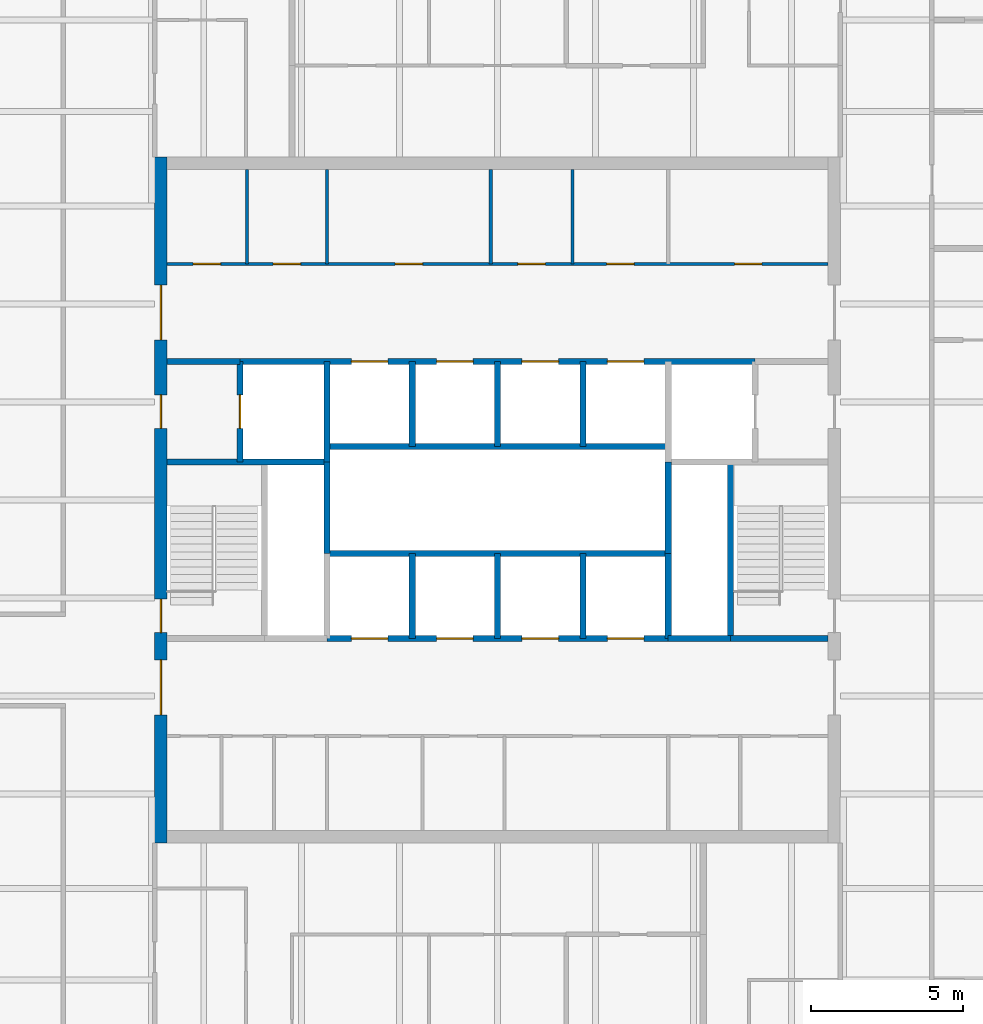
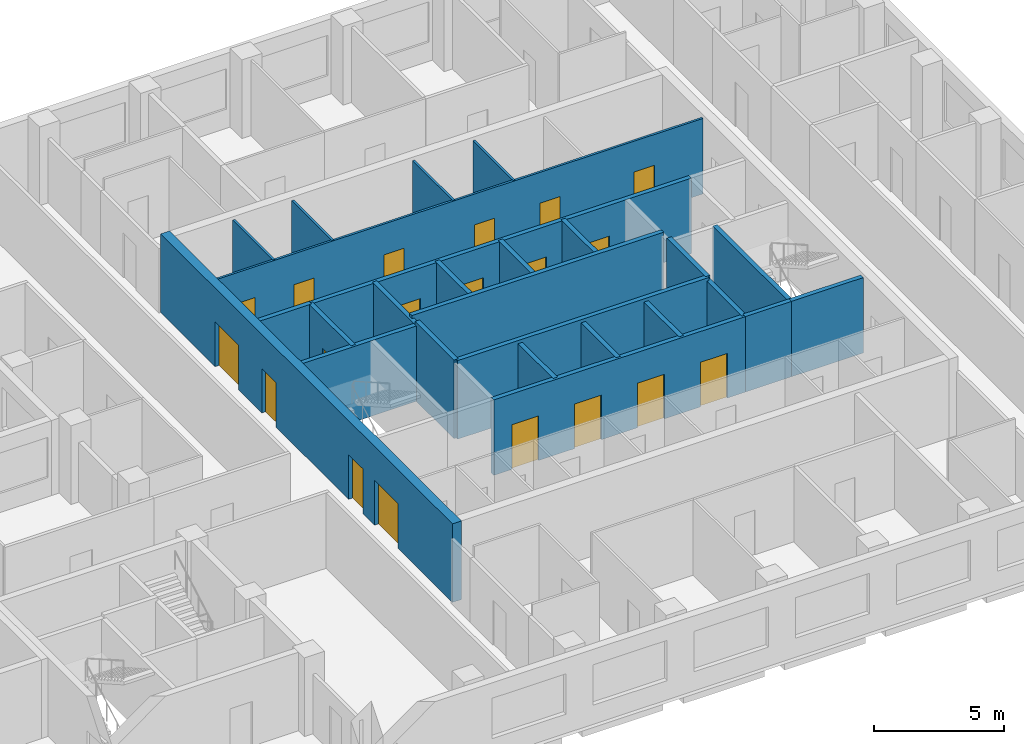
# One storey, part 6 of 10: 26 walls, 19 doors, 19 openings.
"""IFC4 building model written with IfcOpenShell, lengths in metres."""

from ifc_helpers import new_model, si_unit, direction, frame, frame_2d, origin, place, context, subcontext, project, spatial, rectangle, extrude, material, layer, layer_set, type_object, element, fill, save


model = new_model("IFC4")

# Units and contexts
model_context = context("Model", 3, precision=1e-05, world=origin(), true_north=direction((0.0, 1.0)))
body_context = subcontext(model_context, "Body", "Model", "MODEL_VIEW")
ifc_project = project(units=[si_unit("LENGTHUNIT", "METRE"), si_unit("AREAUNIT", "SQUARE_METRE"), si_unit("VOLUMEUNIT", "CUBIC_METRE"), si_unit("PLANEANGLEUNIT", "RADIAN"), si_unit("MASSUNIT", "GRAM", prefix="KILO")], contexts=[model_context])

# Site, building, storey
site_placement = place(None, origin())
site = spatial("IfcSite", under=ifc_project, at=site_placement, CompositionType="ELEMENT")
building_placement = place(site_placement, origin())
building = spatial("IfcBuilding", under=site, at=building_placement, Name="Quoin Convention Tower", CompositionType="ELEMENT")
storey_placement = place(building_placement, frame((0.0, 0.0, 188.39990234375)))
storey = spatial("IfcBuildingStorey", under=building, at=storey_placement, Name="L49", CompositionType="ELEMENT", Elevation=188.39990234375)

# Wall, openings, doors
ifc_material_1 = material(Name="Plasterboard")
ifc_layer_1 = layer(ifc_material_1, 0.012451171875, Name="Finish")
ifc_material_2 = material(Name="Steel stud framing", Category="steel")
ifc_layer_2 = layer(ifc_material_2, 0.074951171875, Name="Structure")
ifc_layer_3 = layer(ifc_material_1, 0.012451171875, Name="Finish")
ifc_layer_set_1 = layer_set([ifc_layer_1, ifc_layer_2, ifc_layer_3], Name="Steel stud framing")
wall_type_1 = type_object("IfcWallType", Name="Core partition wall", PredefinedType="PARTITIONING", material=ifc_layer_set_1)
wall_1_placement = place(storey_placement, frame((45.39990234375, 68.5, 0.0), z_axis=(0.0, 0.0, 1.0), x_axis=(1.0, 0.0, 0.0)))
wall_1 = element("IfcWall", 1, at=wall_1_placement, inside=storey, type_object=wall_type_1, Name="cr-C1-L49-h19000_400", PredefinedType="PARTITIONING", context=body_context, shape_type="SweptSolid", body=[
    extrude(rectangle(XDim=21.7001953125, YDim=0.10009765625, at=frame_2d((10.85009765625, 0.0))), origin(), (0.0, 0.0, 1.0), 3.550048828125),
])
opening_1_placement = place(wall_1_placement, frame((18.625, 0.0, 0.0)))
opening_1 = element("IfcOpeningElement", 2, at=opening_1_placement, cuts=wall_1, Name="Opening DCV5-15", PredefinedType="OPENING", context=body_context, shape_type="SweptSolid", body=[
    extrude(rectangle(XDim=0.89990234375, YDim=2.10009765625, at=frame_2d((0.449951171875, 1.050048828125))), frame((0.0, 0.06005859375, 0.0), z_axis=(0.0, -1.0, 0.0), x_axis=(1.0, 0.0, 0.0)), (0.0, 0.0, 1.0), 0.1201171875),
])
opening_2_placement = place(wall_1_placement, frame((0.862548828125, 0.0, 0.0)))
opening_2 = element("IfcOpeningElement", 3, at=opening_2_placement, cuts=wall_1, Name="Opening DCV5-08", PredefinedType="OPENING", context=body_context, shape_type="SweptSolid", body=[
    extrude(rectangle(XDim=0.89990234375, YDim=2.10009765625, at=frame_2d((0.449951171875, 1.050048828125))), frame((0.0, 0.06005859375, 0.0), z_axis=(0.0, -1.0, 0.0), x_axis=(1.0, 0.0, 0.0)), (0.0, 0.0, 1.0), 0.1201171875),
])
opening_3_placement = place(wall_1_placement, frame((3.487548828125, 0.0, 0.0)))
opening_3 = element("IfcOpeningElement", 4, at=opening_3_placement, cuts=wall_1, Name="Opening DCV5-09", PredefinedType="OPENING", context=body_context, shape_type="SweptSolid", body=[
    extrude(rectangle(XDim=0.89990234375, YDim=2.10009765625, at=frame_2d((0.449951171875, 1.050048828125))), frame((0.0, 0.06005859375, 0.0), z_axis=(0.0, -1.0, 0.0), x_axis=(1.0, 0.0, 0.0)), (0.0, 0.0, 1.0), 0.1201171875),
])
opening_4_placement = place(wall_1_placement, frame((14.431884765625, 0.0, 0.0)))
opening_4 = element("IfcOpeningElement", 5, at=opening_4_placement, cuts=wall_1, Name="Opening DCV5-14", PredefinedType="OPENING", context=body_context, shape_type="SweptSolid", body=[
    extrude(rectangle(XDim=0.89990234375, YDim=2.10009765625, at=frame_2d((0.449951171875, 1.050048828125))), frame((0.0, 0.06005859375, 0.0), z_axis=(0.0, -1.0, 0.0), x_axis=(1.0, 0.0, 0.0)), (0.0, 0.0, 1.0), 0.1201171875),
])
opening_5_placement = place(wall_1_placement, frame((11.52001953125, 0.0, 0.0)))
opening_5 = element("IfcOpeningElement", 6, at=opening_5_placement, cuts=wall_1, Name="Opening DCV5-12", PredefinedType="OPENING", context=body_context, shape_type="SweptSolid", body=[
    extrude(rectangle(XDim=0.89990234375, YDim=2.10009765625, at=frame_2d((0.449951171875, 1.050048828125))), frame((0.0, 0.06005859375, 0.0), z_axis=(0.0, -1.0, 0.0), x_axis=(1.0, 0.0, 0.0)), (0.0, 0.0, 1.0), 0.1201171875),
])
opening_6_placement = place(wall_1_placement, frame((7.488037109375, 0.0, 0.0)))
opening_6 = element("IfcOpeningElement", 7, at=opening_6_placement, cuts=wall_1, Name="Opening DCV5-10", PredefinedType="OPENING", context=body_context, shape_type="SweptSolid", body=[
    extrude(rectangle(XDim=0.89990234375, YDim=2.10009765625, at=frame_2d((0.449951171875, 1.050048828125))), frame((0.0, 0.06005859375, 0.0), z_axis=(0.0, -1.0, 0.0), x_axis=(1.0, 0.0, 0.0)), (0.0, 0.0, 1.0), 0.1201171875),
])
ifc_material_3 = material(Name="Steel door leaf", Category="steel")
door_type_1 = type_object("IfcDoorType", Name="Core room door 900 x 2100", OperationType="SINGLE_SWING_LEFT", PredefinedType="DOOR", material=ifc_material_3)
door_1_placement = place(opening_1_placement, origin())
door_1 = element("IfcDoor", 8, at=door_1_placement, inside=storey, type_object=door_type_1, Name="cd-C1-L49-CNE0-lobB-CD4907", OperationType="SINGLE_SWING_LEFT", OverallHeight=2.10009765625, OverallWidth=0.89990234375, PredefinedType="DOOR", context=body_context, shape_type="SweptSolid", body=[
    extrude(rectangle(XDim=0.89990234375, YDim=2.10009765625, at=frame_2d((0.449951171875, 1.050048828125))), frame((0.0, 0.02490234375, 0.0), z_axis=(0.0, -1.0, 0.0), x_axis=(1.0, 0.0, 0.0)), (0.0, 0.0, 1.0), 0.050048828125),
])
fill(opening_1, door_1)
door_2_placement = place(opening_2_placement, origin())
door_2 = element("IfcDoor", 9, at=door_2_placement, inside=storey, type_object=door_type_1, Name="cd-C1-L49-CNW0-lobB-CD4908", OperationType="SINGLE_SWING_RIGHT", OverallHeight=2.10009765625, OverallWidth=0.89990234375, PredefinedType="DOOR", context=body_context, shape_type="SweptSolid", body=[
    extrude(rectangle(XDim=0.89990234375, YDim=2.10009765625, at=frame_2d((0.449951171875, 1.050048828125))), frame((0.0, 0.02490234375, 0.0), z_axis=(0.0, -1.0, 0.0), x_axis=(1.0, 0.0, 0.0)), (0.0, 0.0, 1.0), 0.050048828125),
])
fill(opening_2, door_2)
door_3_placement = place(opening_3_placement, origin())
door_3 = element("IfcDoor", 10, at=door_3_placement, inside=storey, type_object=door_type_1, Name="cd-C1-L49-CNW1-lobB-CD4909", OperationType="SINGLE_SWING_RIGHT", OverallHeight=2.10009765625, OverallWidth=0.89990234375, PredefinedType="DOOR", context=body_context, shape_type="SweptSolid", body=[
    extrude(rectangle(XDim=0.89990234375, YDim=2.10009765625, at=frame_2d((0.449951171875, 1.050048828125))), frame((0.0, 0.02490234375, 0.0), z_axis=(0.0, -1.0, 0.0), x_axis=(1.0, 0.0, 0.0)), (0.0, 0.0, 1.0), 0.050048828125),
])
fill(opening_3, door_3)
door_4_placement = place(opening_4_placement, origin())
door_4 = element("IfcDoor", 11, at=door_4_placement, inside=storey, type_object=door_type_1, Name="cd-C1-L49-F40-lobB-CD4918", OperationType="SINGLE_SWING_RIGHT", OverallHeight=2.10009765625, OverallWidth=0.89990234375, PredefinedType="DOOR", context=body_context, shape_type="SweptSolid", body=[
    extrude(rectangle(XDim=0.89990234375, YDim=2.10009765625, at=frame_2d((0.449951171875, 1.050048828125))), frame((0.0, 0.02490234375, 0.0), z_axis=(0.0, -1.0, 0.0), x_axis=(1.0, 0.0, 0.0)), (0.0, 0.0, 1.0), 0.050048828125),
])
fill(opening_4, door_4)
door_5_placement = place(opening_5_placement, origin())
door_5 = element("IfcDoor", 12, at=door_5_placement, inside=storey, type_object=door_type_1, Name="cd-C1-L49-F41-lobB-CD4919", OperationType="SINGLE_SWING_RIGHT", OverallHeight=2.10009765625, OverallWidth=0.89990234375, PredefinedType="DOOR", context=body_context, shape_type="SweptSolid", body=[
    extrude(rectangle(XDim=0.89990234375, YDim=2.10009765625, at=frame_2d((0.449951171875, 1.050048828125))), frame((0.0, 0.02490234375, 0.0), z_axis=(0.0, -1.0, 0.0), x_axis=(1.0, 0.0, 0.0)), (0.0, 0.0, 1.0), 0.050048828125),
])
fill(opening_5, door_5)
door_6_placement = place(opening_6_placement, origin())
door_6 = element("IfcDoor", 13, at=door_6_placement, inside=storey, type_object=door_type_1, Name="cd-C1-L49-F42-lobB-CD4920", OperationType="SINGLE_SWING_RIGHT", OverallHeight=2.10009765625, OverallWidth=0.89990234375, PredefinedType="DOOR", context=body_context, shape_type="SweptSolid", body=[
    extrude(rectangle(XDim=0.89990234375, YDim=2.10009765625, at=frame_2d((0.449951171875, 1.050048828125))), frame((0.0, 0.02490234375, 0.0), z_axis=(0.0, -1.0, 0.0), x_axis=(1.0, 0.0, 0.0)), (0.0, 0.0, 1.0), 0.050048828125),
])
fill(opening_6, door_6)

# Walls
for number, where, z_axis, x_axis, name in (
    (14, (48.02490234375, 68.5, 0.0), (0.0, 0.0, 1.0), (0.0, 1.0, 0.0), "cr-C1-L49-v3025_19000"),
    (15, (50.64990234375, 68.5, 0.0), (0.0, 0.0, 1.0), (0.0, 1.0, 0.0), "cr-C1-L49-v5650_19000"),
    (16, (56.02587890625, 68.5, 0.0), (0.0, 0.0, 1.0), (0.0, 1.0, 0.0), "cr-C1-L49-v11026_19000"),
    (17, (58.714111328125, 68.5, 0.0), (0.0, 0.0, 1.0), (0.0, 1.0, 0.0), "cr-C1-L49-v13714_19000"),
):
    element("IfcWall", number, at=place(storey_placement, frame(where, z_axis=z_axis, x_axis=x_axis)), inside=storey, type_object=wall_type_1, Name=name, PredefinedType="PARTITIONING", context=body_context, shape_type="SweptSolid", body=[
        extrude(rectangle(XDim=3.10009765625, YDim=0.10009765625, at=frame_2d((1.550048828125, 0.0))), origin(), (0.0, 0.0, 1.0), 3.550048828125),
    ])
ifc_material_4 = material(Name="Concrete C50", Category="concrete")
ifc_layer_4 = layer(ifc_material_4, 0.199951171875)
ifc_layer_set_2 = layer_set([ifc_layer_4], Name="Concrete C50")
wall_type_2 = type_object("IfcWallType", Name="Core shaft wall", PredefinedType="SOLIDWALL", material=ifc_layer_set_2)
wall_2_placement = place(storey_placement, frame((61.85009765625, 56.199951171875, 0.0), z_axis=(0.0, 0.0, 1.0), x_axis=(1.0, 0.0, 0.0)))
element("IfcWall", 18, at=wall_2_placement, inside=storey, type_object=wall_type_2, Name="cr-C1-L49-h6700_16850", PredefinedType="SOLIDWALL", context=body_context, shape_type="SweptSolid", body=[
    extrude(rectangle(XDim=2.0498046875, YDim=0.199951171875, at=frame_2d((1.02490234375, 0.0))), origin(), (0.0, 0.0, 1.0), 3.550048828125),
])

# Wall, openings, doors
wall_3_placement = place(storey_placement, frame((50.64990234375, 56.199951171875, 0.0), z_axis=(0.0, 0.0, 1.0), x_axis=(1.0, 0.0, 0.0)))
wall_3 = element("IfcWall", 19, at=wall_3_placement, inside=storey, type_object=wall_type_2, Name="cr-C1-L49-h6700_5650", PredefinedType="SOLIDWALL", context=body_context, shape_type="SweptSolid", body=[
    extrude(rectangle(XDim=11.2001953125, YDim=0.199951171875, at=frame_2d((5.60009765625, 0.0))), origin(), (0.0, 0.0, 1.0), 3.550048828125),
])
opening_7_placement = place(wall_3_placement, frame((0.800048828125, 0.0, 0.0)))
opening_7 = element("IfcOpeningElement", 20, at=opening_7_placement, cuts=wall_3, Name="Opening LDH1", PredefinedType="OPENING", context=body_context, shape_type="SweptSolid", body=[
    extrude(rectangle(XDim=1.199951171875, YDim=2.10009765625, at=frame_2d((0.60009765625, 1.050048828125))), frame((0.0, 0.10986328125, 0.0), z_axis=(0.0, -1.0, 0.0), x_axis=(1.0, 0.0, 0.0)), (0.0, 0.0, 1.0), 0.219970703125),
])
opening_8_placement = place(wall_3_placement, frame((3.60009765625, 0.0, 0.0)))
opening_8 = element("IfcOpeningElement", 21, at=opening_8_placement, cuts=wall_3, Name="Opening LDH2", PredefinedType="OPENING", context=body_context, shape_type="SweptSolid", body=[
    extrude(rectangle(XDim=1.199951171875, YDim=2.10009765625, at=frame_2d((0.60009765625, 1.050048828125))), frame((0.0, 0.10986328125, 0.0), z_axis=(0.0, -1.0, 0.0), x_axis=(1.0, 0.0, 0.0)), (0.0, 0.0, 1.0), 0.219970703125),
])
opening_9_placement = place(wall_3_placement, frame((6.39990234375, 0.0, 0.0)))
opening_9 = element("IfcOpeningElement", 22, at=opening_9_placement, cuts=wall_3, Name="Opening LDH3", PredefinedType="OPENING", context=body_context, shape_type="SweptSolid", body=[
    extrude(rectangle(XDim=1.199951171875, YDim=2.10009765625, at=frame_2d((0.60009765625, 1.050048828125))), frame((0.0, 0.10986328125, 0.0), z_axis=(0.0, -1.0, 0.0), x_axis=(1.0, 0.0, 0.0)), (0.0, 0.0, 1.0), 0.219970703125),
])
opening_10_placement = place(wall_3_placement, frame((9.199951171875, 0.0, 0.0)))
opening_10 = element("IfcOpeningElement", 23, at=opening_10_placement, cuts=wall_3, Name="Opening LDH4", PredefinedType="OPENING", context=body_context, shape_type="SweptSolid", body=[
    extrude(rectangle(XDim=1.199951171875, YDim=2.10009765625, at=frame_2d((0.60009765625, 1.050048828125))), frame((0.0, 0.10986328125, 0.0), z_axis=(0.0, -1.0, 0.0), x_axis=(1.0, 0.0, 0.0)), (0.0, 0.0, 1.0), 0.219970703125),
])
door_type_2 = type_object("IfcDoorType", Name="Lift landing door 1200 x 2100", OperationType="DOUBLE_DOOR_SLIDING", PredefinedType="DOOR", material=ifc_material_3)
door_7_placement = place(opening_7_placement, origin())
door_7 = element("IfcDoor", 24, at=door_7_placement, inside=storey, type_object=door_type_2, Name="cd-C1-L49-R20-lobA-LDH1", OperationType="DOUBLE_DOOR_SLIDING", OverallHeight=2.10009765625, OverallWidth=1.199951171875, PredefinedType="DOOR", context=body_context, shape_type="SweptSolid", body=[
    extrude(rectangle(XDim=1.199951171875, YDim=2.10009765625, at=frame_2d((0.60009765625, 1.050048828125))), frame((0.0, 0.02490234375, 0.0), z_axis=(0.0, -1.0, 0.0), x_axis=(1.0, 0.0, 0.0)), (0.0, 0.0, 1.0), 0.050048828125),
])
fill(opening_7, door_7)
door_8_placement = place(opening_8_placement, origin())
door_8 = element("IfcDoor", 25, at=door_8_placement, inside=storey, type_object=door_type_2, Name="cd-C1-L49-R21-lobA-LDH2", OperationType="DOUBLE_DOOR_SLIDING", OverallHeight=2.10009765625, OverallWidth=1.199951171875, PredefinedType="DOOR", context=body_context, shape_type="SweptSolid", body=[
    extrude(rectangle(XDim=1.199951171875, YDim=2.10009765625, at=frame_2d((0.60009765625, 1.050048828125))), frame((0.0, 0.02490234375, 0.0), z_axis=(0.0, -1.0, 0.0), x_axis=(1.0, 0.0, 0.0)), (0.0, 0.0, 1.0), 0.050048828125),
])
fill(opening_8, door_8)
door_9_placement = place(opening_9_placement, origin())
door_9 = element("IfcDoor", 26, at=door_9_placement, inside=storey, type_object=door_type_2, Name="cd-C1-L49-R22-lobA-LDH3", OperationType="DOUBLE_DOOR_SLIDING", OverallHeight=2.10009765625, OverallWidth=1.199951171875, PredefinedType="DOOR", context=body_context, shape_type="SweptSolid", body=[
    extrude(rectangle(XDim=1.199951171875, YDim=2.10009765625, at=frame_2d((0.60009765625, 1.050048828125))), frame((0.0, 0.02490234375, 0.0), z_axis=(0.0, -1.0, 0.0), x_axis=(1.0, 0.0, 0.0)), (0.0, 0.0, 1.0), 0.050048828125),
])
fill(opening_9, door_9)
door_10_placement = place(opening_10_placement, origin())
door_10 = element("IfcDoor", 27, at=door_10_placement, inside=storey, type_object=door_type_2, Name="cd-C1-L49-R23-lobA-LDH4", OperationType="DOUBLE_DOOR_SLIDING", OverallHeight=2.10009765625, OverallWidth=1.199951171875, PredefinedType="DOOR", context=body_context, shape_type="SweptSolid", body=[
    extrude(rectangle(XDim=1.199951171875, YDim=2.10009765625, at=frame_2d((0.60009765625, 1.050048828125))), frame((0.0, 0.02490234375, 0.0), z_axis=(0.0, -1.0, 0.0), x_axis=(1.0, 0.0, 0.0)), (0.0, 0.0, 1.0), 0.050048828125),
])
fill(opening_10, door_10)

# Walls
wall_4_placement = place(storey_placement, frame((63.89990234375, 56.199951171875, 0.0), z_axis=(0.0, 0.0, 1.0), x_axis=(1.0, 0.0, 0.0)))
element("IfcWall", 28, at=wall_4_placement, inside=storey, type_object=wall_type_2, Name="cr-C1-L49-h6700_18900", PredefinedType="SOLIDWALL", context=body_context, shape_type="SweptSolid", body=[
    extrude(rectangle(XDim=3.2001953125, YDim=0.199951171875, at=frame_2d((1.60009765625, 0.0))), origin(), (0.0, 0.0, 1.0), 3.550048828125),
])
wall_5_placement = place(storey_placement, frame((45.39990234375, 62.0, 0.0), z_axis=(0.0, 0.0, 1.0), x_axis=(1.0, 0.0, 0.0)))
element("IfcWall", 29, at=wall_5_placement, inside=storey, type_object=wall_type_2, Name="cr-C1-L49-h12500_400", PredefinedType="SOLIDWALL", context=body_context, shape_type="SweptSolid", body=[
    extrude(rectangle(XDim=5.25, YDim=0.199951171875, at=frame_2d((2.625, 0.0))), origin(), (0.0, 0.0, 1.0), 3.550048828125),
])
wall_6_placement = place(storey_placement, frame((45.39990234375, 65.300048828125, 0.0), z_axis=(0.0, 0.0, 1.0), x_axis=(1.0, 0.0, 0.0)))
element("IfcWall", 30, at=wall_6_placement, inside=storey, type_object=wall_type_2, Name="cr-C1-L49-h15800_400", PredefinedType="SOLIDWALL", context=body_context, shape_type="SweptSolid", body=[
    extrude(rectangle(XDim=2.400146484375, YDim=0.199951171875, at=frame_2d((1.2001953125, 0.0))), origin(), (0.0, 0.0, 1.0), 3.550048828125),
])

# Wall, openings, doors
wall_7_placement = place(storey_placement, frame((47.800048828125, 65.300048828125, 0.0), z_axis=(0.0, 0.0, 1.0), x_axis=(1.0, 0.0, 0.0)))
wall_7 = element("IfcWall", 31, at=wall_7_placement, inside=storey, type_object=wall_type_2, Name="cr-C1-L49-h15800_2800", PredefinedType="SOLIDWALL", context=body_context, shape_type="SweptSolid", body=[
    extrude(rectangle(XDim=16.89990234375, YDim=0.199951171875, at=frame_2d((8.449951171875, 0.0))), origin(), (0.0, 0.0, 1.0), 3.550048828125),
])
opening_11_placement = place(wall_7_placement, frame((3.64990234375, 0.0, 0.0)))
opening_11 = element("IfcOpeningElement", 32, at=opening_11_placement, cuts=wall_7, Name="Opening LDH5", PredefinedType="OPENING", context=body_context, shape_type="SweptSolid", body=[
    extrude(rectangle(XDim=1.199951171875, YDim=2.10009765625, at=frame_2d((0.60009765625, 1.050048828125))), frame((0.0, 0.10986328125, 0.0), z_axis=(0.0, -1.0, 0.0), x_axis=(1.0, 0.0, 0.0)), (0.0, 0.0, 1.0), 0.219970703125),
])
opening_12_placement = place(wall_7_placement, frame((6.449951171875, 0.0, 0.0)))
opening_12 = element("IfcOpeningElement", 33, at=opening_12_placement, cuts=wall_7, Name="Opening LDH6", PredefinedType="OPENING", context=body_context, shape_type="SweptSolid", body=[
    extrude(rectangle(XDim=1.199951171875, YDim=2.10009765625, at=frame_2d((0.60009765625, 1.050048828125))), frame((0.0, 0.10986328125, 0.0), z_axis=(0.0, -1.0, 0.0), x_axis=(1.0, 0.0, 0.0)), (0.0, 0.0, 1.0), 0.219970703125),
])
opening_13_placement = place(wall_7_placement, frame((9.25, 0.0, 0.0)))
opening_13 = element("IfcOpeningElement", 34, at=opening_13_placement, cuts=wall_7, Name="Opening LDH7", PredefinedType="OPENING", context=body_context, shape_type="SweptSolid", body=[
    extrude(rectangle(XDim=1.199951171875, YDim=2.10009765625, at=frame_2d((0.60009765625, 1.050048828125))), frame((0.0, 0.10986328125, 0.0), z_axis=(0.0, -1.0, 0.0), x_axis=(1.0, 0.0, 0.0)), (0.0, 0.0, 1.0), 0.219970703125),
])
opening_14_placement = place(wall_7_placement, frame((12.050048828125, 0.0, 0.0)))
opening_14 = element("IfcOpeningElement", 35, at=opening_14_placement, cuts=wall_7, Name="Opening LDH8", PredefinedType="OPENING", context=body_context, shape_type="SweptSolid", body=[
    extrude(rectangle(XDim=1.199951171875, YDim=2.10009765625, at=frame_2d((0.60009765625, 1.050048828125))), frame((0.0, 0.10986328125, 0.0), z_axis=(0.0, -1.0, 0.0), x_axis=(1.0, 0.0, 0.0)), (0.0, 0.0, 1.0), 0.219970703125),
])
door_11_placement = place(opening_11_placement, origin())
door_11 = element("IfcDoor", 36, at=door_11_placement, inside=storey, type_object=door_type_2, Name="cd-C1-L49-R30-lobB-LDH5", OperationType="DOUBLE_DOOR_SLIDING", OverallHeight=2.10009765625, OverallWidth=1.199951171875, PredefinedType="DOOR", context=body_context, shape_type="SweptSolid", body=[
    extrude(rectangle(XDim=1.199951171875, YDim=2.10009765625, at=frame_2d((0.60009765625, 1.050048828125))), frame((0.0, 0.02490234375, 0.0), z_axis=(0.0, -1.0, 0.0), x_axis=(1.0, 0.0, 0.0)), (0.0, 0.0, 1.0), 0.050048828125),
])
fill(opening_11, door_11)
door_12_placement = place(opening_12_placement, origin())
door_12 = element("IfcDoor", 37, at=door_12_placement, inside=storey, type_object=door_type_2, Name="cd-C1-L49-R31-lobB-LDH6", OperationType="DOUBLE_DOOR_SLIDING", OverallHeight=2.10009765625, OverallWidth=1.199951171875, PredefinedType="DOOR", context=body_context, shape_type="SweptSolid", body=[
    extrude(rectangle(XDim=1.199951171875, YDim=2.10009765625, at=frame_2d((0.60009765625, 1.050048828125))), frame((0.0, 0.02490234375, 0.0), z_axis=(0.0, -1.0, 0.0), x_axis=(1.0, 0.0, 0.0)), (0.0, 0.0, 1.0), 0.050048828125),
])
fill(opening_12, door_12)
door_13_placement = place(opening_13_placement, origin())
door_13 = element("IfcDoor", 38, at=door_13_placement, inside=storey, type_object=door_type_2, Name="cd-C1-L49-R32-lobB-LDH7", OperationType="DOUBLE_DOOR_SLIDING", OverallHeight=2.10009765625, OverallWidth=1.199951171875, PredefinedType="DOOR", context=body_context, shape_type="SweptSolid", body=[
    extrude(rectangle(XDim=1.199951171875, YDim=2.10009765625, at=frame_2d((0.60009765625, 1.050048828125))), frame((0.0, 0.02490234375, 0.0), z_axis=(0.0, -1.0, 0.0), x_axis=(1.0, 0.0, 0.0)), (0.0, 0.0, 1.0), 0.050048828125),
])
fill(opening_13, door_13)
door_14_placement = place(opening_14_placement, origin())
door_14 = element("IfcDoor", 39, at=door_14_placement, inside=storey, type_object=door_type_2, Name="cd-C1-L49-R33-lobB-LDH8", OperationType="DOUBLE_DOOR_SLIDING", OverallHeight=2.10009765625, OverallWidth=1.199951171875, PredefinedType="DOOR", context=body_context, shape_type="SweptSolid", body=[
    extrude(rectangle(XDim=1.199951171875, YDim=2.10009765625, at=frame_2d((0.60009765625, 1.050048828125))), frame((0.0, 0.02490234375, 0.0), z_axis=(0.0, -1.0, 0.0), x_axis=(1.0, 0.0, 0.0)), (0.0, 0.0, 1.0), 0.050048828125),
])
fill(opening_14, door_14)

# Wall, opening, door
wall_8_placement = place(storey_placement, frame((47.800048828125, 62.0, 0.0), z_axis=(0.0, 0.0, 1.0), x_axis=(0.0, 1.0, 0.0)))
wall_8 = element("IfcWall", 40, at=wall_8_placement, inside=storey, type_object=wall_type_2, Name="cr-C1-L49-v2800_12500", PredefinedType="SOLIDWALL", context=body_context, shape_type="SweptSolid", body=[
    extrude(rectangle(XDim=3.300048828125, YDim=0.199951171875, at=frame_2d((1.64990234375, 0.0))), origin(), (0.0, 0.0, 1.0), 3.550048828125),
])
opening_15_placement = place(wall_8_placement, frame((1.10009765625, 0.0, 0.0)))
opening_15 = element("IfcOpeningElement", 41, at=opening_15_placement, cuts=wall_8, Name="Opening LDFL1", PredefinedType="OPENING", context=body_context, shape_type="SweptSolid", body=[
    extrude(rectangle(XDim=1.10009765625, YDim=2.10009765625, at=frame_2d((0.550048828125, 1.050048828125))), frame((0.0, 0.10986328125, 0.0), z_axis=(0.0, -1.0, 0.0), x_axis=(1.0, 0.0, 0.0)), (0.0, 0.0, 1.0), 0.219970703125),
])
door_type_3 = type_object("IfcDoorType", Name="Lift landing door 1100 x 2100", OperationType="DOUBLE_DOOR_SLIDING", PredefinedType="DOOR", material=ifc_material_3)
door_15_placement = place(opening_15_placement, origin())
door_15 = element("IfcDoor", 42, at=door_15_placement, inside=storey, type_object=door_type_3, Name="cd-C1-L49-FLW-FFW-LDFL1", OperationType="DOUBLE_DOOR_SLIDING", OverallHeight=2.10009765625, OverallWidth=1.10009765625, PredefinedType="DOOR", context=body_context, shape_type="SweptSolid", body=[
    extrude(rectangle(XDim=1.10009765625, YDim=2.10009765625, at=frame_2d((0.550048828125, 1.050048828125))), frame((0.0, 0.02490234375, 0.0), z_axis=(0.0, -1.0, 0.0), x_axis=(1.0, 0.0, 0.0)), (0.0, 0.0, 1.0), 0.050048828125),
])
fill(opening_15, door_15)

# Walls
wall_9_placement = place(storey_placement, frame((50.64990234375, 62.0, 0.0), z_axis=(0.0, 0.0, 1.0), x_axis=(0.0, 1.0, 0.0)))
element("IfcWall", 43, at=wall_9_placement, inside=storey, type_object=wall_type_2, Name="cr-C1-L49-v5650_12500", PredefinedType="SOLIDWALL", context=body_context, shape_type="SweptSolid", body=[
    extrude(rectangle(XDim=3.300048828125, YDim=0.199951171875, at=frame_2d((1.64990234375, 0.0))), origin(), (0.0, 0.0, 1.0), 3.550048828125),
])
for number, where, z_axis, x_axis, name in (
    (44, (53.449951171875, 56.199951171875, 0.0), (0.0, 0.0, 1.0), (0.0, 1.0, 0.0), "cr-C1-L49-v8450_6700"),
    (45, (53.449951171875, 62.5, 0.0), (0.0, 0.0, 1.0), (0.0, 1.0, 0.0), "cr-C1-L49-v8450_13000"),
    (46, (56.25, 56.199951171875, 0.0), (0.0, 0.0, 1.0), (0.0, 1.0, 0.0), "cr-C1-L49-v11250_6700"),
    (47, (56.25, 62.5, 0.0), (0.0, 0.0, 1.0), (0.0, 1.0, 0.0), "cr-C1-L49-v11250_13000"),
    (48, (59.050048828125, 56.199951171875, 0.0), (0.0, 0.0, 1.0), (0.0, 1.0, 0.0), "cr-C1-L49-v14050_6700"),
    (49, (59.050048828125, 62.5, 0.0), (0.0, 0.0, 1.0), (0.0, 1.0, 0.0), "cr-C1-L49-v14050_13000"),
    (50, (61.85009765625, 56.199951171875, 0.0), (0.0, 0.0, 1.0), (0.0, 1.0, 0.0), "cr-C1-L49-v16850_6700"),
):
    element("IfcWall", number, at=place(storey_placement, frame(where, z_axis=z_axis, x_axis=x_axis)), inside=storey, type_object=wall_type_2, Name=name, PredefinedType="SOLIDWALL", context=body_context, shape_type="SweptSolid", body=[
        extrude(rectangle(XDim=2.800048828125, YDim=0.199951171875, at=frame_2d((1.39990234375, 0.0))), origin(), (0.0, 0.0, 1.0), 3.550048828125),
    ])
wall_10_placement = place(storey_placement, frame((63.89990234375, 56.199951171875, 0.0), z_axis=(0.0, 0.0, 1.0), x_axis=(0.0, 1.0, 0.0)))
element("IfcWall", 51, at=wall_10_placement, inside=storey, type_object=wall_type_2, Name="cr-C1-L49-v18900_6700", PredefinedType="SOLIDWALL", context=body_context, shape_type="SweptSolid", body=[
    extrude(rectangle(XDim=5.800048828125, YDim=0.199951171875, at=frame_2d((2.89990234375, 0.0))), origin(), (0.0, 0.0, 1.0), 3.550048828125),
])
ifc_layer_5 = layer(ifc_material_4, 0.199951171875)
ifc_layer_set_3 = layer_set([ifc_layer_5], Name="Concrete C50")
wall_type_3 = type_object("IfcWallType", Name="Core shaft wall to the floor level over", PredefinedType="SOLIDWALL", material=ifc_layer_set_3)
for number, where, z_axis, x_axis, name in (
    (52, (50.64990234375, 59.0, 0.0), (0.0, 0.0, 1.0), (1.0, 0.0, 0.0), "cr-C1-L49-h9500_5650"),
    (53, (50.64990234375, 62.5, 0.0), (0.0, 0.0, 1.0), (1.0, 0.0, 0.0), "cr-C1-L49-h13000_5650"),
):
    element("IfcWall", number, at=place(storey_placement, frame(where, z_axis=z_axis, x_axis=x_axis)), inside=storey, type_object=wall_type_3, Name=name, PredefinedType="SOLIDWALL", context=body_context, shape_type="SweptSolid", body=[
        extrude(rectangle(XDim=11.2001953125, YDim=0.199951171875, at=frame_2d((5.60009765625, 0.0))), origin(), (0.0, 0.0, 1.0), 3.7001953125),
    ])
for number, where, z_axis, x_axis, name in (
    (54, (50.64990234375, 59.0, 0.0), (0.0, 0.0, 1.0), (0.0, 1.0, 0.0), "cr-C1-L49-v5650_9500"),
    (55, (61.85009765625, 59.0, 0.0), (0.0, 0.0, 1.0), (0.0, 1.0, 0.0), "cr-C1-L49-v16850_9500"),
):
    element("IfcWall", number, at=place(storey_placement, frame(where, z_axis=z_axis, x_axis=x_axis)), inside=storey, type_object=wall_type_3, Name=name, PredefinedType="SOLIDWALL", context=body_context, shape_type="SweptSolid", body=[
        extrude(rectangle(XDim=3.0, YDim=0.199951171875, at=frame_2d((1.5, 0.0))), origin(), (0.0, 0.0, 1.0), 3.7001953125),
    ])

# Wall, openings, doors
ifc_layer_6 = layer(ifc_material_4, 0.39990234375)
ifc_layer_set_4 = layer_set([ifc_layer_6], Name="Concrete C50")
wall_type_4 = type_object("IfcWallType", Name="RC CORE WALL 400 C50", PredefinedType="SHEAR", material=ifc_layer_set_4)
wall_11_placement = place(storey_placement, frame((45.199951171875, 49.5, 0.0), z_axis=(0.0, 0.0, 1.0), x_axis=(0.0, 1.0, 0.0)))
wall_11 = element("IfcWall", 56, at=wall_11_placement, inside=storey, type_object=wall_type_4, Name="cwl-C1-L49-W", PredefinedType="SHEAR", context=body_context, shape_type="SweptSolid", body=[
    extrude(rectangle(XDim=22.5, YDim=0.39990234375, at=frame_2d((11.25, 0.0))), origin(), (0.0, 0.0, 1.0), 3.7001953125),
])
opening_16_placement = place(wall_11_placement, frame((4.199951171875, 0.0, 0.0)))
opening_16 = element("IfcOpeningElement", 57, at=opening_16_placement, cuts=wall_11, Name="Opening DCV5-50", PredefinedType="OPENING", context=body_context, shape_type="SweptSolid", body=[
    extrude(rectangle(XDim=1.800048828125, YDim=2.10009765625, at=frame_2d((0.89990234375, 1.050048828125))), frame((0.0, 0.2099609375, 0.0), z_axis=(0.0, -1.0, 0.0), x_axis=(1.0, 0.0, 0.0)), (0.0, 0.0, 1.0), 0.419921875),
])
opening_17_placement = place(wall_11_placement, frame((6.89990234375, 0.0, 0.0)))
opening_17 = element("IfcOpeningElement", 58, at=opening_17_placement, cuts=wall_11, Name="Opening SD1", PredefinedType="OPENING", context=body_context, shape_type="SweptSolid", body=[
    extrude(rectangle(XDim=1.10009765625, YDim=2.10009765625, at=frame_2d((0.550048828125, 1.050048828125))), frame((0.0, 0.2099609375, 0.0), z_axis=(0.0, -1.0, 0.0), x_axis=(1.0, 0.0, 0.0)), (0.0, 0.0, 1.0), 0.419921875),
])
opening_18_placement = place(wall_11_placement, frame((13.60009765625, 0.0, 0.0)))
opening_18 = element("IfcOpeningElement", 59, at=opening_18_placement, cuts=wall_11, Name="Opening DCV5-49", PredefinedType="OPENING", context=body_context, shape_type="SweptSolid", body=[
    extrude(rectangle(XDim=1.10009765625, YDim=2.10009765625, at=frame_2d((0.550048828125, 1.050048828125))), frame((0.0, 0.2099609375, 0.0), z_axis=(0.0, -1.0, 0.0), x_axis=(1.0, 0.0, 0.0)), (0.0, 0.0, 1.0), 0.419921875),
])
opening_19_placement = place(wall_11_placement, frame((16.5, 0.0, 0.0)))
opening_19 = element("IfcOpeningElement", 60, at=opening_19_placement, cuts=wall_11, Name="Opening DCV5-50", PredefinedType="OPENING", context=body_context, shape_type="SweptSolid", body=[
    extrude(rectangle(XDim=1.800048828125, YDim=2.10009765625, at=frame_2d((0.89990234375, 1.050048828125))), frame((0.0, 0.2099609375, 0.0), z_axis=(0.0, -1.0, 0.0), x_axis=(1.0, 0.0, 0.0)), (0.0, 0.0, 1.0), 0.419921875),
])
door_type_4 = type_object("IfcDoorType", Name="Fire-fighting lobby door 1100 x 2100", OperationType="SINGLE_SWING_LEFT", PredefinedType="DOOR", material=ifc_material_3)
door_16_placement = place(opening_18_placement, frame((1.10009765625, 0.0, 0.0), z_axis=(0.0, 0.0, 1.0), x_axis=(-1.0, 0.0, 0.0)))
door_16 = element("IfcDoor", 61, at=door_16_placement, inside=storey, type_object=door_type_4, Name="cd-C1-L49-FFW-W", OperationType="SINGLE_SWING_LEFT", OverallHeight=2.10009765625, OverallWidth=1.10009765625, PredefinedType="DOOR", context=body_context, shape_type="SweptSolid", body=[
    extrude(rectangle(XDim=1.10009765625, YDim=2.10009765625, at=frame_2d((0.550048828125, 1.050048828125))), frame((0.0, 0.02490234375, 0.0), z_axis=(0.0, -1.0, 0.0), x_axis=(1.0, 0.0, 0.0)), (0.0, 0.0, 1.0), 0.050048828125),
])
fill(opening_18, door_16)
door_type_5 = type_object("IfcDoorType", Name="Lift lobby door 1800 x 2100", OperationType="SINGLE_SWING_LEFT", PredefinedType="DOOR", material=ifc_material_3)
door_17_placement = place(opening_16_placement, frame((1.800048828125, 0.0, 0.0), z_axis=(0.0, 0.0, 1.0), x_axis=(-1.0, 0.0, 0.0)))
door_17 = element("IfcDoor", 62, at=door_17_placement, inside=storey, type_object=door_type_5, Name="cd-C1-L49-lobA-W", OperationType="SINGLE_SWING_LEFT", OverallHeight=2.10009765625, OverallWidth=1.800048828125, PredefinedType="DOOR", context=body_context, shape_type="SweptSolid", body=[
    extrude(rectangle(XDim=1.800048828125, YDim=2.10009765625, at=frame_2d((0.89990234375, 1.050048828125))), frame((0.0, 0.02490234375, 0.0), z_axis=(0.0, -1.0, 0.0), x_axis=(1.0, 0.0, 0.0)), (0.0, 0.0, 1.0), 0.050048828125),
])
fill(opening_16, door_17)
door_18_placement = place(opening_19_placement, frame((1.800048828125, 0.0, 0.0), z_axis=(0.0, 0.0, 1.0), x_axis=(-1.0, 0.0, 0.0)))
door_18 = element("IfcDoor", 63, at=door_18_placement, inside=storey, type_object=door_type_5, Name="cd-C1-L49-lobB-W", OperationType="SINGLE_SWING_LEFT", OverallHeight=2.10009765625, OverallWidth=1.800048828125, PredefinedType="DOOR", context=body_context, shape_type="SweptSolid", body=[
    extrude(rectangle(XDim=1.800048828125, YDim=2.10009765625, at=frame_2d((0.89990234375, 1.050048828125))), frame((0.0, 0.02490234375, 0.0), z_axis=(0.0, -1.0, 0.0), x_axis=(1.0, 0.0, 0.0)), (0.0, 0.0, 1.0), 0.050048828125),
])
fill(opening_19, door_18)
door_type_6 = type_object("IfcDoorType", Name="Stair door 1100 x 2100", OperationType="SINGLE_SWING_RIGHT", PredefinedType="DOOR", material=ifc_material_3)
door_19_placement = place(opening_17_placement, frame((1.10009765625, 0.0, 0.0), z_axis=(0.0, 0.0, 1.0), x_axis=(-1.0, 0.0, 0.0)))
door_19 = element("IfcDoor", 64, at=door_19_placement, inside=storey, type_object=door_type_6, Name="cd-C1-L49-STW-W", OperationType="SINGLE_SWING_RIGHT", OverallHeight=2.10009765625, OverallWidth=1.10009765625, PredefinedType="DOOR", context=body_context, shape_type="SweptSolid", body=[
    extrude(rectangle(XDim=1.10009765625, YDim=2.10009765625, at=frame_2d((0.550048828125, 1.050048828125))), frame((0.0, 0.02490234375, 0.0), z_axis=(0.0, -1.0, 0.0), x_axis=(1.0, 0.0, 0.0)), (0.0, 0.0, 1.0), 0.050048828125),
])
fill(opening_17, door_19)

save(model, "model.ifc")
